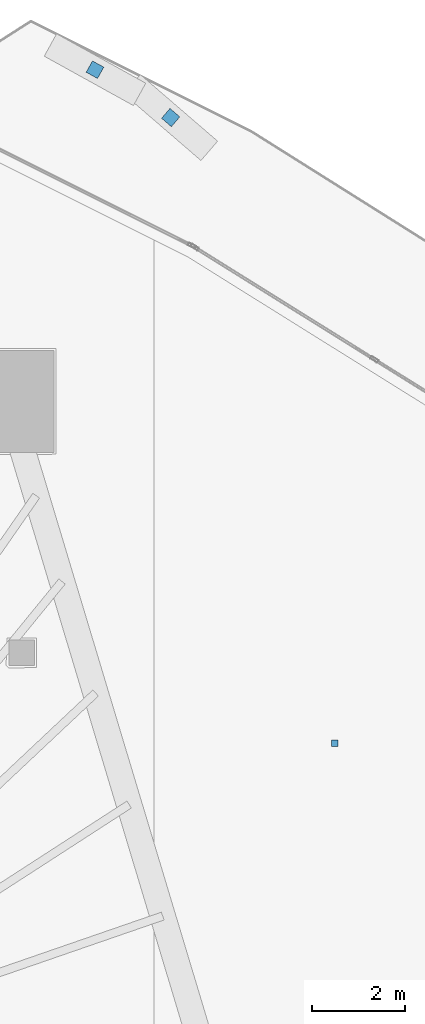
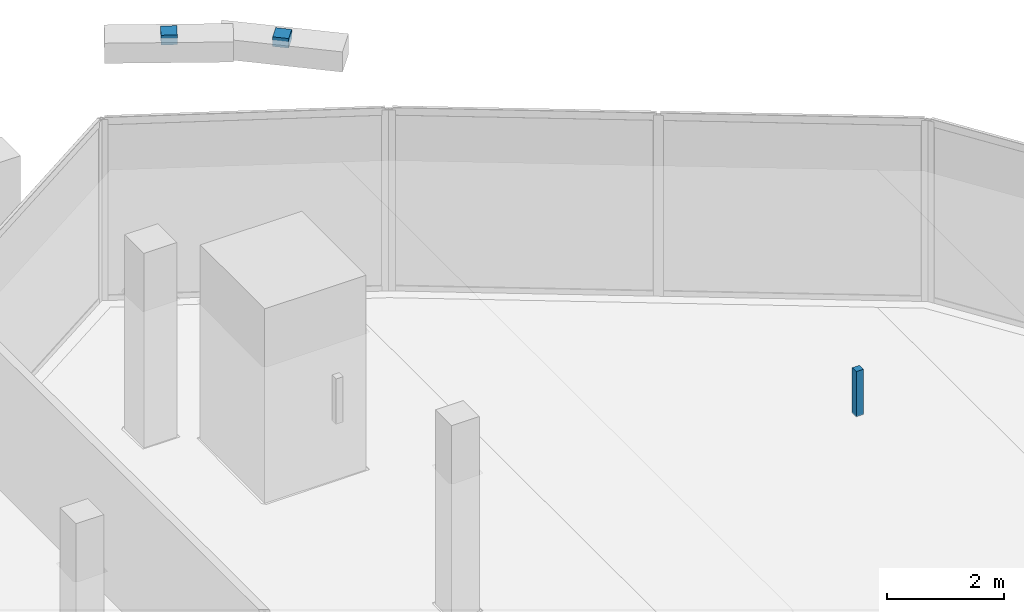
# One storey, part 33 of 42: 3 discrete accessories.
"""IFC4 building model written with IfcOpenShell, lengths in metres."""

from ifc_helpers import new_model, si_unit, direction, frame, origin, origin_2d, place, context, subcontext, project, spatial, rectangle, extrude, material, type_object, element, save


model = new_model("IFC4")

# Units and contexts
model_context = context("Model", 3, precision=1e-05, world=origin(), true_north=direction((0.0, 1.0)))
body_context = subcontext(model_context, "Body", "Model", "MODEL_VIEW")
ifc_project = project(units=[si_unit("LENGTHUNIT", "METRE"), si_unit("AREAUNIT", "SQUARE_METRE"), si_unit("VOLUMEUNIT", "CUBIC_METRE"), si_unit("PLANEANGLEUNIT", "RADIAN"), si_unit("MASSUNIT", "GRAM", prefix="KILO")], contexts=[model_context])

# Site, building, storey
site_placement = place(None, origin())
site = spatial("IfcSite", under=ifc_project, at=site_placement, CompositionType="ELEMENT")
building_placement = place(site_placement, origin())
building = spatial("IfcBuilding", under=site, at=building_placement, Name="Qorvath Tower", CompositionType="ELEMENT")
storey_placement = place(building_placement, frame((0.0, 0.0, 117.89990234375)))
storey = spatial("IfcBuildingStorey", under=building, at=storey_placement, Name="L26", CompositionType="ELEMENT", Elevation=117.89990234375)

# Discrete accessories
ifc_material = material(Name="Galvanised steel bracket", Category="steel")
discrete_accessory_type = type_object("IfcDiscreteAccessoryType", Name="DA-BRACKET", PredefinedType="BRACKET", material=ifc_material)
for number, where, z_axis, x_axis, name in (
    (1, (-11.827392578125, 31.37255859375, 3.6298828125), (0.0, 0.0, 1.0), (-0.757553591462, 0.652772974367, 0.0), "Louvre Wave Support Bracket L26-05"),
    (2, (-13.46142578125, 32.406005859375, 3.6298828125), (0.0, 0.0, 1.0), (-0.874929220455, 0.484250822605, 0.0), "Louvre Wave Support Bracket L26-06"),
):
    element("IfcDiscreteAccessory", number, at=place(storey_placement, frame(where, z_axis=z_axis, x_axis=x_axis)), inside=storey, type_object=discrete_accessory_type, Name=name, PredefinedType="NOTDEFINED", context=body_context, shape_type="SweptSolid", body=[
        extrude(rectangle(XDim=0.280029296875, YDim=0.280029296875, at=origin_2d()), origin(), (0.0, 0.0, 1.0), 0.199951171875),
    ])
discrete_accessory_placement = place(storey_placement, frame((-8.288818359375, 17.860595703125, 2.860107421875), z_axis=(0.0, 0.0, 1.0), x_axis=(1.0, 0.0, 0.0)))
element("IfcDiscreteAccessory", 3, at=discrete_accessory_placement, inside=storey, type_object=discrete_accessory_type, Name="Acoustic Ceiling Suspension Hanger T1-L26-015", PredefinedType="NOTDEFINED", context=body_context, shape_type="SweptSolid", body=[
    extrude(rectangle(XDim=0.139892578125, YDim=0.139892578125, at=origin_2d()), origin(), (0.0, 0.0, 1.0), 0.93994140625),
])

save(model, "model.ifc")
